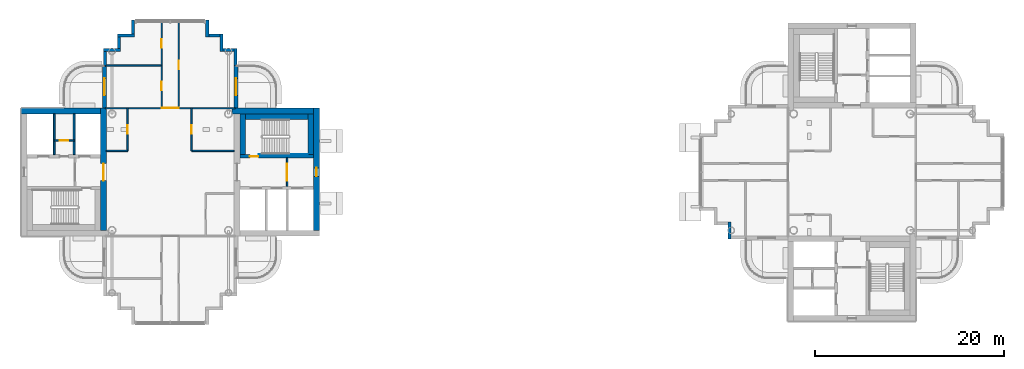
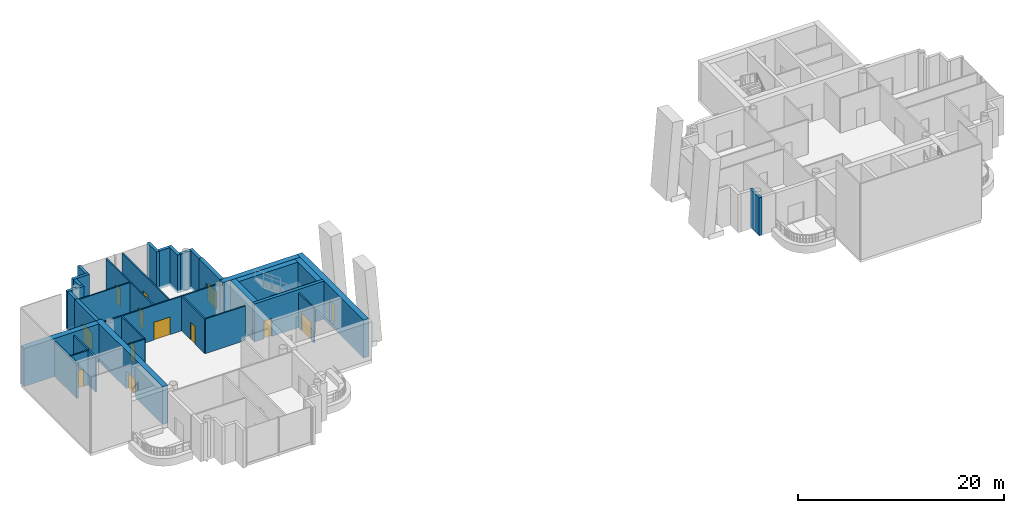
# One storey, part 8 of 19: 34 walls, 12 doors, 1 window, 13 openings.
"""IFC4 building model written with IfcOpenShell, lengths in metres."""

from ifc_helpers import new_model, si_unit, direction, frame, frame_2d, origin, place, context, subcontext, project, spatial, rectangle, extrude, material, layer, layer_set, type_object, element, fill, save


model = new_model("IFC4")

# Units and contexts
model_context = context("Model", 3, precision=1e-05, world=origin(), true_north=direction((0.0, 1.0)))
body_context = subcontext(model_context, "Body", "Model", "MODEL_VIEW")
ifc_project = project(units=[si_unit("LENGTHUNIT", "METRE"), si_unit("AREAUNIT", "SQUARE_METRE"), si_unit("VOLUMEUNIT", "CUBIC_METRE"), si_unit("PLANEANGLEUNIT", "RADIAN"), si_unit("MASSUNIT", "GRAM", prefix="KILO")], contexts=[model_context])

# Site, building, storey
site_placement = place(None, origin())
site = spatial("IfcSite", under=ifc_project, at=site_placement, CompositionType="ELEMENT")
building_placement = place(site_placement, origin())
building = spatial("IfcBuilding", under=site, at=building_placement, Name="Ipe Terrace Towers", CompositionType="ELEMENT")
storey_placement = place(building_placement, frame((0.0, 0.0, 237.89990234375)))
storey = spatial("IfcBuildingStorey", under=building, at=storey_placement, Name="L66", CompositionType="ELEMENT", Elevation=237.89990234375)

# Wall, opening, door
ifc_material_1 = material(Name="Concrete C40/50 with buff precast cladding", Category="concrete")
ifc_layer_1 = layer(ifc_material_1, 0.39990234375)
ifc_layer_set_1 = layer_set([ifc_layer_1], Name="BALCONY BAY WALL 400")
wall_type_1 = type_object("IfcWallType", Name="BALCONY BAY WALL 400", PredefinedType="STANDARD", material=ifc_layer_set_1)
wall_1_placement = place(storey_placement, frame((-29.050048828125, 6.75, -0.02001953125), z_axis=(0.0, 0.0, 1.0), x_axis=(0.0, 1.0, 0.0)))
wall_1 = element("IfcWall", 1, at=wall_1_placement, inside=storey, type_object=wall_type_1, Name="T1-W-L66-20a wall", PredefinedType="STANDARD", context=body_context, shape_type="SweptSolid", body=[
    extrude(rectangle(XDim=4.5, YDim=0.39990234375, at=frame_2d((2.25, 0.0))), origin(), (0.0, 0.0, 1.0), 4.22021484375),
])
opening_1_placement = place(wall_1_placement, frame((1.35009765625, 0.0, 0.02001953125)))
opening_1 = element("IfcOpeningElement", 2, at=opening_1_placement, cuts=wall_1, Name="Opening T1-D-L66-20", PredefinedType="OPENING", context=body_context, shape_type="SweptSolid", body=[
    extrude(rectangle(XDim=1.800048828125, YDim=2.10009765625, at=frame_2d((0.89990234375, 1.050048828125))), frame((0.0, 0.2099609375, 0.0), z_axis=(0.0, -1.0, 0.0), x_axis=(1.0, 0.0, 0.0)), (0.0, 0.0, 1.0), 0.419921875),
])
ifc_material_2 = material(Name="Aluminium alloy 6063-T6 framed glazed door", Category="aluminium")
door_type_1 = type_object("IfcDoorType", Name="BALCONY DOOR 1800 x 2100 LEFT", OperationType="SINGLE_SWING_LEFT", PredefinedType="DOOR", material=ifc_material_2)
door_1_placement = place(opening_1_placement, origin())
door_1 = element("IfcDoor", 3, at=door_1_placement, inside=storey, type_object=door_type_1, Name="DB1 door", OperationType="SINGLE_SWING_LEFT", OverallHeight=2.10009765625, OverallWidth=1.800048828125, PredefinedType="DOOR", context=body_context, shape_type="SweptSolid", body=[
    extrude(rectangle(XDim=1.800048828125, YDim=2.10009765625, at=frame_2d((0.89990234375, 1.050048828125))), frame((0.0, 0.02490234375, 0.0), z_axis=(0.0, -1.0, 0.0), x_axis=(1.0, 0.0, 0.0)), (0.0, 0.0, 1.0), 0.050048828125),
])
fill(opening_1, door_1)

wall_2_placement = place(storey_placement, frame((-42.949951171875, 11.25, -0.02001953125), z_axis=(0.0, 0.0, 1.0), x_axis=(0.0, -1.0, 0.0)))
wall_2 = element("IfcWall", 4, at=wall_2_placement, inside=storey, type_object=wall_type_1, Name="T1-W-L66-32a wall", PredefinedType="STANDARD", context=body_context, shape_type="SweptSolid", body=[
    extrude(rectangle(XDim=4.5, YDim=0.39990234375, at=frame_2d((2.25, 0.0))), origin(), (0.0, 0.0, 1.0), 4.22021484375),
])
opening_2_placement = place(wall_2_placement, frame((1.35009765625, 0.0, 0.02001953125)))
opening_2 = element("IfcOpeningElement", 5, at=opening_2_placement, cuts=wall_2, Name="Opening T1-D-L66-32", PredefinedType="OPENING", context=body_context, shape_type="SweptSolid", body=[
    extrude(rectangle(XDim=1.800048828125, YDim=2.10009765625, at=frame_2d((0.89990234375, 1.050048828125))), frame((0.0, 0.2099609375, 0.0), z_axis=(0.0, -1.0, 0.0), x_axis=(1.0, 0.0, 0.0)), (0.0, 0.0, 1.0), 0.419921875),
])
door_2_placement = place(opening_2_placement, origin())
door_2 = element("IfcDoor", 6, at=door_2_placement, inside=storey, type_object=door_type_1, Name="DB1 door", OperationType="SINGLE_SWING_LEFT", OverallHeight=2.10009765625, OverallWidth=1.800048828125, PredefinedType="DOOR", context=body_context, shape_type="SweptSolid", body=[
    extrude(rectangle(XDim=1.800048828125, YDim=2.10009765625, at=frame_2d((0.89990234375, 1.050048828125))), frame((0.0, 0.02490234375, 0.0), z_axis=(0.0, -1.0, 0.0), x_axis=(1.0, 0.0, 0.0)), (0.0, 0.0, 1.0), 0.050048828125),
])
fill(opening_2, door_2)

# Walls
ifc_material_3 = material(Name="Concrete C40/50 with buff precast cladding", Category="concrete")
ifc_layer_2 = layer(ifc_material_3, 0.320068359375)
ifc_layer_set_2 = layer_set([ifc_layer_2], Name="BUFF CLADDING WALL 320")
wall_type_2 = type_object("IfcWallType", Name="BUFF CLADDING WALL 320", PredefinedType="STANDARD", material=ifc_layer_set_2)
wall_3_placement = place(storey_placement, frame((-29.090087890625, 11.25, -0.2998046875), z_axis=(0.0, 0.0, 1.0), x_axis=(0.0, 1.0, 0.0)))
element("IfcWall", 7, at=wall_3_placement, inside=storey, type_object=wall_type_2, Name="T1-W-L66-21a wall", PredefinedType="STANDARD", context=body_context, shape_type="SweptSolid", body=[
    extrude(rectangle(XDim=1.820068359375, YDim=0.320068359375, at=frame_2d((0.91015625, 0.0))), origin(), (0.0, 0.0, 1.0), 4.5),
])
wall_4_placement = place(storey_placement, frame((-29.25, 12.909912109375, -0.2998046875), z_axis=(0.0, 0.0, 1.0), x_axis=(-1.0, 0.0, 0.0)))
element("IfcWall", 8, at=wall_4_placement, inside=storey, type_object=wall_type_2, Name="T1-W-L66-22a wall", PredefinedType="STANDARD", context=body_context, shape_type="SweptSolid", body=[
    extrude(rectangle(XDim=1.179931640625, YDim=0.320068359375, at=frame_2d((0.58984375, 0.0))), origin(), (0.0, 0.0, 1.0), 4.5),
])
wall_5_placement = place(storey_placement, frame((-30.590087890625, 12.75, -0.2998046875), z_axis=(0.0, 0.0, 1.0), x_axis=(0.0, 1.0, 0.0)))
element("IfcWall", 9, at=wall_5_placement, inside=storey, type_object=wall_type_2, Name="T1-W-L66-23a wall", PredefinedType="STANDARD", context=body_context, shape_type="SweptSolid", body=[
    extrude(rectangle(XDim=1.820068359375, YDim=0.320068359375, at=frame_2d((0.91015625, 0.0))), origin(), (0.0, 0.0, 1.0), 4.5),
])
wall_6_placement = place(storey_placement, frame((-30.75, 14.409912109375, -0.2998046875), z_axis=(0.0, 0.0, 1.0), x_axis=(-1.0, 0.0, 0.0)))
element("IfcWall", 10, at=wall_6_placement, inside=storey, type_object=wall_type_2, Name="T1-W-L66-24a wall", PredefinedType="STANDARD", context=body_context, shape_type="SweptSolid", body=[
    extrude(rectangle(XDim=1.179931640625, YDim=0.320068359375, at=frame_2d((0.58984375, 0.0))), origin(), (0.0, 0.0, 1.0), 4.5),
])
wall_7_placement = place(storey_placement, frame((-32.090087890625, 14.25, -0.2998046875), z_axis=(0.0, 0.0, 1.0), x_axis=(0.0, 1.0, 0.0)))
element("IfcWall", 11, at=wall_7_placement, inside=storey, type_object=wall_type_2, Name="T1-W-L66-25a wall", PredefinedType="STANDARD", context=body_context, shape_type="SweptSolid", body=[
    extrude(rectangle(XDim=1.820068359375, YDim=0.320068359375, at=frame_2d((0.91015625, 0.0))), origin(), (0.0, 0.0, 1.0), 4.5),
])
wall_8_placement = place(storey_placement, frame((-39.909912109375, 16.070068359375, -0.2998046875), z_axis=(0.0, 0.0, 1.0), x_axis=(0.0, -1.0, 0.0)))
element("IfcWall", 12, at=wall_8_placement, inside=storey, type_object=wall_type_2, Name="T1-W-L66-27a wall", PredefinedType="STANDARD", context=body_context, shape_type="SweptSolid", body=[
    extrude(rectangle(XDim=1.5, YDim=0.320068359375, at=frame_2d((0.75, 0.0))), origin(), (0.0, 0.0, 1.0), 4.5),
])
wall_9_placement = place(storey_placement, frame((-39.75, 14.409912109375, -0.2998046875), z_axis=(0.0, 0.0, 1.0), x_axis=(-1.0, 0.0, 0.0)))
element("IfcWall", 13, at=wall_9_placement, inside=storey, type_object=wall_type_2, Name="T1-W-L66-28a wall", PredefinedType="STANDARD", context=body_context, shape_type="SweptSolid", body=[
    extrude(rectangle(XDim=1.820068359375, YDim=0.320068359375, at=frame_2d((0.91015625, 0.0))), origin(), (0.0, 0.0, 1.0), 4.5),
])
wall_10_placement = place(storey_placement, frame((-41.409912109375, 14.25, -0.2998046875), z_axis=(0.0, 0.0, 1.0), x_axis=(0.0, -1.0, 0.0)))
element("IfcWall", 14, at=wall_10_placement, inside=storey, type_object=wall_type_2, Name="T1-W-L66-29a wall", PredefinedType="STANDARD", context=body_context, shape_type="SweptSolid", body=[
    extrude(rectangle(XDim=1.179931640625, YDim=0.320068359375, at=frame_2d((0.58984375, 0.0))), origin(), (0.0, 0.0, 1.0), 4.5),
])
wall_11_placement = place(storey_placement, frame((-41.25, 12.909912109375, -0.2998046875), z_axis=(0.0, 0.0, 1.0), x_axis=(-1.0, 0.0, 0.0)))
element("IfcWall", 15, at=wall_11_placement, inside=storey, type_object=wall_type_2, Name="T1-W-L66-30a wall", PredefinedType="STANDARD", context=body_context, shape_type="SweptSolid", body=[
    extrude(rectangle(XDim=1.820068359375, YDim=0.320068359375, at=frame_2d((0.91015625, 0.0))), origin(), (0.0, 0.0, 1.0), 4.5),
])
wall_12_placement = place(storey_placement, frame((-42.909912109375, 12.75, -0.2998046875), z_axis=(0.0, 0.0, 1.0), x_axis=(0.0, -1.0, 0.0)))
element("IfcWall", 16, at=wall_12_placement, inside=storey, type_object=wall_type_2, Name="T1-W-L66-31a wall", PredefinedType="STANDARD", context=body_context, shape_type="SweptSolid", body=[
    extrude(rectangle(XDim=1.5, YDim=0.320068359375, at=frame_2d((0.75, 0.0))), origin(), (0.0, 0.0, 1.0), 4.5),
])
wall_13_placement = place(storey_placement, frame((23.090087890625, -5.25, -0.2998046875), z_axis=(0.0, 0.0, 1.0), x_axis=(0.0, -1.0, 0.0)))
element("IfcWall", 17, at=wall_13_placement, inside=storey, type_object=wall_type_2, Name="T2-W-L66-30a wall", PredefinedType="STANDARD", context=body_context, shape_type="SweptSolid", body=[
    extrude(rectangle(XDim=1.820068359375, YDim=0.320068359375, at=frame_2d((0.91015625, 0.0))), origin(), (0.0, 0.0, 1.0), 4.5),
])

# Wall, opening, door
ifc_material_4 = material(Name="Gypsum board partition", Category="plasterboard")
ifc_layer_3 = layer(ifc_material_4, 0.14990234375)
ifc_layer_set_3 = layer_set([ifc_layer_3], Name="Gypsum board partition 150 mm")
wall_type_3 = type_object("IfcWallType", Name="Gypsum board partition 150 mm", PredefinedType="PARTITIONING", material=ifc_layer_set_3)
wall_14_placement = place(storey_placement, frame((-23.64990234375, -1.5, 0.0), z_axis=(0.0, 0.0, 1.0), x_axis=(0.0, 1.0, 0.0)))
wall_14 = element("IfcWall", 18, at=wall_14_placement, inside=storey, type_object=wall_type_3, Name="Gypsum board partition T1 L66 t1c1-lobby-wall", PredefinedType="PARTITIONING", context=body_context, shape_type="SweptSolid", body=[
    extrude(rectangle(XDim=3.0, YDim=0.14990234375, at=frame_2d((1.5, 0.0))), origin(), (0.0, 0.0, 1.0), 4.10009765625),
])
opening_3_placement = place(wall_14_placement, frame((0.60009765625, 0.0, 0.0)))
opening_3 = element("IfcOpeningElement", 19, at=opening_3_placement, cuts=wall_14, Name="Opening T1C1-VD", PredefinedType="OPENING", context=body_context, shape_type="SweptSolid", body=[
    extrude(rectangle(XDim=1.800048828125, YDim=2.10009765625, at=frame_2d((0.89990234375, 1.050048828125))), frame((0.0, 0.0849609375, 0.0), z_axis=(0.0, -1.0, 0.0), x_axis=(1.0, 0.0, 0.0)), (0.0, 0.0, 1.0), 0.169921875),
])
ifc_material_5 = material(Name="Fire-rated timber door leaf", Category="wood")
door_type_2 = type_object("IfcDoorType", Name="Lobby door 1800 x 2100 FD60", OperationType="NOTDEFINED", PredefinedType="DOOR", material=ifc_material_5)
door_3_placement = place(opening_3_placement, origin())
door_3 = element("IfcDoor", 20, at=door_3_placement, inside=storey, type_object=door_type_2, Name="Lobby door T1C1-VD", OperationType="SINGLE_SWING_LEFT", OverallHeight=2.10009765625, OverallWidth=1.800048828125, PredefinedType="DOOR", context=body_context, shape_type="SweptSolid", body=[
    extrude(rectangle(XDim=1.800048828125, YDim=2.10009765625, at=frame_2d((0.89990234375, 1.050048828125))), frame((0.0, 0.02490234375, 0.0), z_axis=(0.0, -1.0, 0.0), x_axis=(1.0, 0.0, 0.0)), (0.0, 0.0, 1.0), 0.050048828125),
])
fill(opening_3, door_3)

wall_15_placement = place(storey_placement, frame((-46.14990234375, 3.35009765625, 0.0), z_axis=(0.0, 0.0, 1.0), x_axis=(-1.0, 0.0, 0.0)))
wall_15 = element("IfcWall", 21, at=wall_15_placement, inside=storey, type_object=wall_type_3, Name="Gypsum board partition T1 L66 t1c2-q-back", PredefinedType="PARTITIONING", context=body_context, shape_type="SweptSolid", body=[
    extrude(rectangle(XDim=2.10009765625, YDim=0.14990234375, at=frame_2d((1.050048828125, 0.0))), origin(), (0.0, 0.0, 1.0), 4.10009765625),
])
opening_4_placement = place(wall_15_placement, frame((0.60009765625, 0.0, 0.0)))
opening_4 = element("IfcOpeningElement", 22, at=opening_4_placement, cuts=wall_15, Name="Opening T1C2-RB", PredefinedType="OPENING", context=body_context, shape_type="SweptSolid", body=[
    extrude(rectangle(XDim=0.89990234375, YDim=2.10009765625, at=frame_2d((0.449951171875, 1.050048828125))), frame((0.0, 0.0849609375, 0.0), z_axis=(0.0, -1.0, 0.0), x_axis=(1.0, 0.0, 0.0)), (0.0, 0.0, 1.0), 0.169921875),
])
ifc_material_6 = material(Name="Fire-rated timber door leaf", Category="wood")
door_type_3 = type_object("IfcDoorType", Name="Service door 900 x 2100 FD60", OperationType="NOTDEFINED", PredefinedType="DOOR", material=ifc_material_6)
door_4_placement = place(opening_4_placement, origin())
door_4 = element("IfcDoor", 23, at=door_4_placement, inside=storey, type_object=door_type_3, Name="Service door T1C2-RB", OperationType="SINGLE_SWING_LEFT", OverallHeight=2.10009765625, OverallWidth=0.89990234375, PredefinedType="DOOR", context=body_context, shape_type="SweptSolid", body=[
    extrude(rectangle(XDim=0.89990234375, YDim=2.10009765625, at=frame_2d((0.449951171875, 1.050048828125))), frame((0.0, 0.02490234375, 0.0), z_axis=(0.0, -1.0, 0.0), x_axis=(1.0, 0.0, 0.0)), (0.0, 0.0, 1.0), 0.050048828125),
])
fill(opening_4, door_4)

wall_16_placement = place(storey_placement, frame((-33.75, 2.25, 0.0), z_axis=(0.0, 0.0, 1.0), x_axis=(0.0, 1.0, 0.0)))
wall_16 = element("IfcWall", 24, at=wall_16_placement, inside=storey, type_object=wall_type_3, Name="Gypsum board partition T1 L66 sp-cne-x", PredefinedType="PARTITIONING", context=body_context, shape_type="SweptSolid", body=[
    extrude(rectangle(XDim=4.5, YDim=0.14990234375, at=frame_2d((2.25, 0.0))), origin(), (0.0, 0.0, 1.0), 4.10009765625),
])
opening_5_placement = place(wall_16_placement, frame((1.800048828125, 0.0, 0.0)))
opening_5 = element("IfcOpeningElement", 25, at=opening_5_placement, cuts=wall_16, Name="Opening T1-SP-CNE", PredefinedType="OPENING", context=body_context, shape_type="SweptSolid", body=[
    extrude(rectangle(XDim=0.89990234375, YDim=2.10009765625, at=frame_2d((0.449951171875, 1.050048828125))), frame((0.0, 0.0849609375, 0.0), z_axis=(0.0, -1.0, 0.0), x_axis=(1.0, 0.0, 0.0)), (0.0, 0.0, 1.0), 0.169921875),
])
ifc_material_7 = material(Name="Timber door leaf", Category="wood")
door_type_4 = type_object("IfcDoorType", Name="Bathroom door 900 x 2100", OperationType="NOTDEFINED", PredefinedType="DOOR", material=ifc_material_7)
door_5_placement = place(opening_5_placement, origin())
door_5 = element("IfcDoor", 26, at=door_5_placement, inside=storey, type_object=door_type_4, Name="Bathroom door T1-SP-CNE", OperationType="SINGLE_SWING_RIGHT", OverallHeight=2.10009765625, OverallWidth=0.89990234375, PredefinedType="DOOR", context=body_context, shape_type="SweptSolid", body=[
    extrude(rectangle(XDim=0.89990234375, YDim=2.10009765625, at=frame_2d((0.449951171875, 1.050048828125))), frame((0.0, 0.02490234375, 0.0), z_axis=(0.0, -1.0, 0.0), x_axis=(1.0, 0.0, 0.0)), (0.0, 0.0, 1.0), 0.050048828125),
])
fill(opening_5, door_5)

# Wall
wall_17_placement = place(storey_placement, frame((-33.75, 2.25, 0.0), z_axis=(0.0, 0.0, 1.0), x_axis=(1.0, 0.0, 0.0)))
element("IfcWall", 27, at=wall_17_placement, inside=storey, type_object=wall_type_3, Name="Gypsum board partition T1 L66 sp-cne-y", PredefinedType="PARTITIONING", context=body_context, shape_type="SweptSolid", body=[
    extrude(rectangle(XDim=4.5, YDim=0.14990234375, at=frame_2d((2.25, 0.0))), origin(), (0.0, 0.0, 1.0), 4.10009765625),
])

# Wall, opening, door
wall_18_placement = place(storey_placement, frame((-40.5, 2.25, 0.0), z_axis=(0.0, 0.0, 1.0), x_axis=(0.0, 1.0, 0.0)))
wall_18 = element("IfcWall", 28, at=wall_18_placement, inside=storey, type_object=wall_type_3, Name="Gypsum board partition T1 L66 sp-cnw-x", PredefinedType="PARTITIONING", context=body_context, shape_type="SweptSolid", body=[
    extrude(rectangle(XDim=4.5, YDim=0.14990234375, at=frame_2d((2.25, 0.0))), origin(), (0.0, 0.0, 1.0), 4.10009765625),
])
opening_6_placement = place(wall_18_placement, frame((1.800048828125, 0.0, 0.0)))
opening_6 = element("IfcOpeningElement", 29, at=opening_6_placement, cuts=wall_18, Name="Opening T1-SP-CNW", PredefinedType="OPENING", context=body_context, shape_type="SweptSolid", body=[
    extrude(rectangle(XDim=0.89990234375, YDim=2.10009765625, at=frame_2d((0.449951171875, 1.050048828125))), frame((0.0, 0.0849609375, 0.0), z_axis=(0.0, -1.0, 0.0), x_axis=(1.0, 0.0, 0.0)), (0.0, 0.0, 1.0), 0.169921875),
])
door_6_placement = place(opening_6_placement, origin())
door_6 = element("IfcDoor", 30, at=door_6_placement, inside=storey, type_object=door_type_4, Name="Bathroom door T1-SP-CNW", OperationType="SINGLE_SWING_LEFT", OverallHeight=2.10009765625, OverallWidth=0.89990234375, PredefinedType="DOOR", context=body_context, shape_type="SweptSolid", body=[
    extrude(rectangle(XDim=0.89990234375, YDim=2.10009765625, at=frame_2d((0.449951171875, 1.050048828125))), frame((0.0, 0.02490234375, 0.0), z_axis=(0.0, -1.0, 0.0), x_axis=(1.0, 0.0, 0.0)), (0.0, 0.0, 1.0), 0.050048828125),
])
fill(opening_6, door_6)

# Wall
wall_19_placement = place(storey_placement, frame((-42.75, 2.25, 0.0), z_axis=(0.0, 0.0, 1.0), x_axis=(1.0, 0.0, 0.0)))
element("IfcWall", 31, at=wall_19_placement, inside=storey, type_object=wall_type_3, Name="Gypsum board partition T1 L66 sp-cnw-y", PredefinedType="PARTITIONING", context=body_context, shape_type="SweptSolid", body=[
    extrude(rectangle(XDim=2.25, YDim=0.14990234375, at=frame_2d((1.125, 0.0))), origin(), (0.0, 0.0, 1.0), 4.10009765625),
])

# Wall, opening, door
wall_20_placement = place(storey_placement, frame((-42.85009765625, 6.75, 0.0), z_axis=(0.0, 0.0, 1.0), x_axis=(1.0, 0.0, 0.0)))
wall_20 = element("IfcWall", 32, at=wall_20_placement, inside=storey, type_object=wall_type_3, Name="Gypsum board partition T1 L66 sp-Sp-mouth", PredefinedType="PARTITIONING", context=body_context, shape_type="SweptSolid", body=[
    extrude(rectangle(XDim=13.7001953125, YDim=0.14990234375, at=frame_2d((6.85009765625, 0.0))), origin(), (0.0, 0.0, 1.0), 4.10009765625),
])
opening_7_placement = place(wall_20_placement, frame((5.949951171875, 0.0, 0.0)))
opening_7 = element("IfcOpeningElement", 33, at=opening_7_placement, cuts=wall_20, Name="Opening T1-SP-MSp", PredefinedType="OPENING", context=body_context, shape_type="SweptSolid", body=[
    extrude(rectangle(XDim=1.800048828125, YDim=2.10009765625, at=frame_2d((0.89990234375, 1.050048828125))), frame((0.0, 0.0849609375, 0.0), z_axis=(0.0, -1.0, 0.0), x_axis=(1.0, 0.0, 0.0)), (0.0, 0.0, 1.0), 0.169921875),
])
ifc_material_8 = material(Name="Fire-rated timber door leaf", Category="wood")
door_type_5 = type_object("IfcDoorType", Name="Lobby door 1800 x 2100 FD30S", OperationType="NOTDEFINED", PredefinedType="DOOR", material=ifc_material_8)
door_7_placement = place(opening_7_placement, origin())
door_7 = element("IfcDoor", 34, at=door_7_placement, inside=storey, type_object=door_type_5, Name="Lobby door T1-SP-MSp", OperationType="SINGLE_SWING_LEFT", OverallHeight=2.10009765625, OverallWidth=1.800048828125, PredefinedType="DOOR", context=body_context, shape_type="SweptSolid", body=[
    extrude(rectangle(XDim=1.800048828125, YDim=2.10009765625, at=frame_2d((0.89990234375, 1.050048828125))), frame((0.0, 0.02490234375, 0.0), z_axis=(0.0, -1.0, 0.0), x_axis=(1.0, 0.0, 0.0)), (0.0, 0.0, 1.0), 0.050048828125),
])
fill(opening_7, door_7)

wall_21_placement = place(storey_placement, frame((-35.10009765625, 6.824951171875, 0.0), z_axis=(0.0, 0.0, 1.0), x_axis=(0.0, 1.0, 0.0)))
wall_21 = element("IfcWall", 35, at=wall_21_placement, inside=storey, type_object=wall_type_3, Name="Gypsum board partition T1 L66 sp-Sp-wp", PredefinedType="PARTITIONING", context=body_context, shape_type="SweptSolid", body=[
    extrude(rectangle(XDim=9.025146484375, YDim=0.14990234375, at=frame_2d((4.5126953125, 0.0))), origin(), (0.0, 0.0, 1.0), 4.10009765625),
])
opening_8_placement = place(wall_21_placement, frame((4.050048828125, 0.0, 0.0)))
opening_8 = element("IfcOpeningElement", 36, at=opening_8_placement, cuts=wall_21, Name="Opening T1-SP-PSp1", PredefinedType="OPENING", context=body_context, shape_type="SweptSolid", body=[
    extrude(rectangle(XDim=0.89990234375, YDim=2.10009765625, at=frame_2d((0.449951171875, 1.050048828125))), frame((0.0, 0.0849609375, 0.0), z_axis=(0.0, -1.0, 0.0), x_axis=(1.0, 0.0, 0.0)), (0.0, 0.0, 1.0), 0.169921875),
])
ifc_material_9 = material(Name="Fire-rated timber door leaf", Category="wood")
door_type_6 = type_object("IfcDoorType", Name="Lounge door 900 x 2100 FD30S", OperationType="NOTDEFINED", PredefinedType="DOOR", material=ifc_material_9)
door_8_placement = place(opening_8_placement, origin())
door_8 = element("IfcDoor", 37, at=door_8_placement, inside=storey, type_object=door_type_6, Name="Lounge door T1-SP-PSp1", OperationType="SINGLE_SWING_LEFT", OverallHeight=2.10009765625, OverallWidth=0.89990234375, PredefinedType="DOOR", context=body_context, shape_type="SweptSolid", body=[
    extrude(rectangle(XDim=0.89990234375, YDim=2.10009765625, at=frame_2d((0.449951171875, 1.050048828125))), frame((0.0, 0.02490234375, 0.0), z_axis=(0.0, -1.0, 0.0), x_axis=(1.0, 0.0, 0.0)), (0.0, 0.0, 1.0), 0.050048828125),
])
fill(opening_8, door_8)

# Wall, openings, doors
wall_22_placement = place(storey_placement, frame((-36.89990234375, 6.824951171875, 0.0), z_axis=(0.0, 0.0, 1.0), x_axis=(0.0, 1.0, 0.0)))
wall_22 = element("IfcWall", 38, at=wall_22_placement, inside=storey, type_object=wall_type_3, Name="Gypsum board partition T1 L66 sp-Sp-wm", PredefinedType="PARTITIONING", context=body_context, shape_type="SweptSolid", body=[
    extrude(rectangle(XDim=9.025146484375, YDim=0.14990234375, at=frame_2d((4.5126953125, 0.0))), origin(), (0.0, 0.0, 1.0), 4.10009765625),
])
opening_9_placement = place(wall_22_placement, frame((1.800048828125, 0.0, 0.0)))
opening_9 = element("IfcOpeningElement", 39, at=opening_9_placement, cuts=wall_22, Name="Opening T1-SP-MSp1", PredefinedType="OPENING", context=body_context, shape_type="SweptSolid", body=[
    extrude(rectangle(XDim=0.89990234375, YDim=2.10009765625, at=frame_2d((0.449951171875, 1.050048828125))), frame((0.0, 0.0849609375, 0.0), z_axis=(0.0, -1.0, 0.0), x_axis=(1.0, 0.0, 0.0)), (0.0, 0.0, 1.0), 0.169921875),
])
opening_10_placement = place(wall_22_placement, frame((6.300048828125, 0.0, 0.0)))
opening_10 = element("IfcOpeningElement", 40, at=opening_10_placement, cuts=wall_22, Name="Opening T1-SP-MSp2-FD30S", PredefinedType="OPENING", context=body_context, shape_type="SweptSolid", body=[
    extrude(rectangle(XDim=0.89990234375, YDim=2.10009765625, at=frame_2d((0.449951171875, 1.050048828125))), frame((0.0, 0.0849609375, 0.0), z_axis=(0.0, -1.0, 0.0), x_axis=(1.0, 0.0, 0.0)), (0.0, 0.0, 1.0), 0.169921875),
])
door_9_placement = place(opening_9_placement, origin())
door_9 = element("IfcDoor", 41, at=door_9_placement, inside=storey, type_object=door_type_6, Name="Lounge door T1-SP-MSp1", OperationType="SINGLE_SWING_RIGHT", OverallHeight=2.10009765625, OverallWidth=0.89990234375, PredefinedType="DOOR", context=body_context, shape_type="SweptSolid", body=[
    extrude(rectangle(XDim=0.89990234375, YDim=2.10009765625, at=frame_2d((0.449951171875, 1.050048828125))), frame((0.0, 0.02490234375, 0.0), z_axis=(0.0, -1.0, 0.0), x_axis=(1.0, 0.0, 0.0)), (0.0, 0.0, 1.0), 0.050048828125),
])
fill(opening_9, door_9)
door_10_placement = place(opening_10_placement, origin())
door_10 = element("IfcDoor", 42, at=door_10_placement, inside=storey, type_object=door_type_6, Name="Lounge door T1-SP-MSp2-FD30S", OperationType="SINGLE_SWING_LEFT", OverallHeight=2.10009765625, OverallWidth=0.89990234375, PredefinedType="DOOR", context=body_context, shape_type="SweptSolid", body=[
    extrude(rectangle(XDim=0.89990234375, YDim=2.10009765625, at=frame_2d((0.449951171875, 1.050048828125))), frame((0.0, 0.02490234375, 0.0), z_axis=(0.0, -1.0, 0.0), x_axis=(1.0, 0.0, 0.0)), (0.0, 0.0, 1.0), 0.050048828125),
])
fill(opening_10, door_10)

# Walls
wall_23_placement = place(storey_placement, frame((-36.97509765625, 11.25, 0.0), z_axis=(0.0, 0.0, 1.0), x_axis=(-1.0, 0.0, 0.0)))
element("IfcWall", 43, at=wall_23_placement, inside=storey, type_object=wall_type_3, Name="Gypsum board partition T1 L66 sp-Sp-dm1", PredefinedType="PARTITIONING", context=body_context, shape_type="SweptSolid", body=[
    extrude(rectangle(XDim=5.875, YDim=0.14990234375, at=frame_2d((2.9375, 0.0))), origin(), (0.0, 0.0, 1.0), 4.10009765625),
])
ifc_material_10 = material(Name="Gypsum board party wall", Category="plasterboard")
ifc_layer_4 = layer(ifc_material_10, 0.199951171875)
ifc_layer_set_4 = layer_set([ifc_layer_4], Name="Gypsum board party wall 200 mm")
wall_type_4 = type_object("IfcWallType", Name="Gypsum board party wall 200 mm", PredefinedType="SOLIDWALL", material=ifc_layer_set_4)
for number, where, z_axis, x_axis, name in (
    (44, (-48.25, 6.14990234375, 0.0), (0.0, 0.0, 1.0), (0.0, -1.0, 0.0), "Gypsum board party wall T1 L66 t1c2-shaft-div2"),
    (45, (-46.14990234375, 6.14990234375, 0.0), (0.0, 0.0, 1.0), (0.0, -1.0, 0.0), "Gypsum board party wall T1 L66 t1c2-shaft-div1"),
):
    element("IfcWall", number, at=place(storey_placement, frame(where, z_axis=z_axis, x_axis=x_axis)), inside=storey, type_object=wall_type_4, Name=name, PredefinedType="SOLIDWALL", context=body_context, shape_type="SweptSolid", body=[
        extrude(rectangle(XDim=4.2998046875, YDim=0.199951171875, at=frame_2d((2.14990234375, 0.0))), origin(), (0.0, 0.0, 1.0), 4.10009765625),
    ])

# Wall, opening, door
ifc_material_11 = material(Name="Concrete C40/50", Category="concrete")
ifc_layer_5 = layer(ifc_material_11, 0.35009765625)
ifc_layer_set_5 = layer_set([ifc_layer_5], Name="RW350 CORE SPINE WALL 350 C40-50")
wall_type_5 = type_object("IfcWallType", Name="RW350 CORE SPINE WALL 350 C40-50", PredefinedType="SHEAR", material=ifc_layer_set_5)
wall_24_placement = place(storey_placement, frame((-28.64990234375, 1.675048828125, 0.0), z_axis=(0.0, 0.0, 1.0), x_axis=(1.0, 0.0, 0.0)))
wall_24 = element("IfcWall", 46, at=wall_24_placement, inside=storey, type_object=wall_type_5, Name="Core spine wall T1-C1-Z4-SW2", PredefinedType="SHEAR", context=body_context, shape_type="SweptSolid", body=[
    extrude(rectangle(XDim=7.7998046875, YDim=0.35009765625, at=frame_2d((3.89990234375, 0.0))), origin(), (0.0, 0.0, 1.0), 4.5),
])
opening_11_placement = place(wall_24_placement, frame((1.050048828125, 0.0, 0.0)))
opening_11 = element("IfcOpeningElement", 47, at=opening_11_placement, cuts=wall_24, Name="Opening T1C1-SD", PredefinedType="OPENING", context=body_context, shape_type="SweptSolid", body=[
    extrude(rectangle(XDim=0.89990234375, YDim=2.10009765625, at=frame_2d((0.449951171875, 1.050048828125))), frame((0.0, 0.18505859375, 0.0), z_axis=(0.0, -1.0, 0.0), x_axis=(1.0, 0.0, 0.0)), (0.0, 0.0, 1.0), 0.3701171875),
])
ifc_material_12 = material(Name="Fire-rated timber door leaf", Category="wood")
door_type_7 = type_object("IfcDoorType", Name="Stair door 900 x 2100 FD60", OperationType="NOTDEFINED", PredefinedType="DOOR", material=ifc_material_12)
door_11_placement = place(opening_11_placement, origin())
door_11 = element("IfcDoor", 48, at=door_11_placement, inside=storey, type_object=door_type_7, Name="Stair door T1C1-SD", OperationType="SINGLE_SWING_LEFT", OverallHeight=2.10009765625, OverallWidth=0.89990234375, PredefinedType="DOOR", context=body_context, shape_type="SweptSolid", body=[
    extrude(rectangle(XDim=0.89990234375, YDim=2.10009765625, at=frame_2d((0.449951171875, 1.050048828125))), frame((0.0, 0.02490234375, 0.0), z_axis=(0.0, -1.0, 0.0), x_axis=(1.0, 0.0, 0.0)), (0.0, 0.0, 1.0), 0.050048828125),
])
fill(opening_11, door_11)

# Walls
ifc_material_13 = material(Name="Concrete C40/50", Category="concrete")
ifc_layer_6 = layer(ifc_material_13, 0.050048828125)
ifc_layer_set_6 = layer_set([ifc_layer_6], Name="RW50 CORE INFILL WALL 50 C40-50")
wall_type_6 = type_object("IfcWallType", Name="RW50 CORE INFILL WALL 50 C40-50", PredefinedType="SHEAR", material=ifc_layer_set_6)
wall_25_placement = place(storey_placement, frame((-26.64990234375, 1.875, 0.0), z_axis=(0.0, 0.0, 1.0), x_axis=(1.0, 0.0, 0.0)))
element("IfcWall", 49, at=wall_25_placement, inside=storey, type_object=wall_type_6, Name="Core infill wall T1-C1-spine-b", PredefinedType="SHEAR", context=body_context, shape_type="SweptSolid", body=[
    extrude(rectangle(XDim=5.199951171875, YDim=0.050048828125, at=frame_2d((2.60009765625, 0.0))), origin(), (0.0, 0.0, 1.0), 4.5),
])
ifc_material_14 = material(Name="Concrete C40/50", Category="concrete")
ifc_layer_7 = layer(ifc_material_14, 0.60009765625)
ifc_layer_set_7 = layer_set([ifc_layer_7], Name="RW600 CORE INFILL WALL 600 C40-50")
wall_type_7 = type_object("IfcWallType", Name="RW600 CORE INFILL WALL 600 C40-50", PredefinedType="SHEAR", material=ifc_layer_set_7)
wall_26_placement = place(storey_placement, frame((-21.14990234375, 1.85009765625, 0.0), z_axis=(0.0, 0.0, 1.0), x_axis=(0.0, 1.0, 0.0)))
element("IfcWall", 50, at=wall_26_placement, inside=storey, type_object=wall_type_7, Name="Core infill wall T1-C1-far", PredefinedType="SHEAR", context=body_context, shape_type="SweptSolid", body=[
    extrude(rectangle(XDim=4.2998046875, YDim=0.60009765625, at=frame_2d((2.14990234375, 0.0))), origin(), (0.0, 0.0, 1.0), 4.5),
])
wall_27_placement = place(storey_placement, frame((-28.050048828125, 5.85009765625, 0.0), z_axis=(0.0, 0.0, 1.0), x_axis=(1.0, 0.0, 0.0)))
element("IfcWall", 51, at=wall_27_placement, inside=storey, type_object=wall_type_7, Name="Core infill wall T1-C1-back", PredefinedType="SHEAR", context=body_context, shape_type="SweptSolid", body=[
    extrude(rectangle(XDim=6.60009765625, YDim=0.60009765625, at=frame_2d((3.300048828125, 0.0))), origin(), (0.0, 0.0, 1.0), 4.5),
])
wall_28_placement = place(storey_placement, frame((-28.35009765625, 1.85009765625, 0.0), z_axis=(0.0, 0.0, 1.0), x_axis=(0.0, 1.0, 0.0)))
element("IfcWall", 52, at=wall_28_placement, inside=storey, type_object=wall_type_7, Name="Core infill wall T1-C1-near", PredefinedType="SHEAR", context=body_context, shape_type="SweptSolid", body=[
    extrude(rectangle(XDim=4.2998046875, YDim=0.60009765625, at=frame_2d((2.14990234375, 0.0))), origin(), (0.0, 0.0, 1.0), 4.5),
])

# Wall, opening, window
ifc_material_15 = material(Name="Concrete C40/50", Category="concrete")
ifc_layer_8 = layer(ifc_material_15, 0.60009765625)
ifc_layer_set_8 = layer_set([ifc_layer_8], Name="RW600 CORE WALL 600 C40-50")
wall_type_8 = type_object("IfcWallType", Name="RW600 CORE WALL 600 C40-50", PredefinedType="SHEAR", material=ifc_layer_set_8)
wall_29_placement = place(storey_placement, frame((-20.550048828125, -6.14990234375, 0.0), z_axis=(0.0, 0.0, 1.0), x_axis=(0.0, 1.0, 0.0)))
wall_29 = element("IfcWall", 53, at=wall_29_placement, inside=storey, type_object=wall_type_8, Name="Core wall T1-C1-Z4-W02", PredefinedType="SHEAR", context=body_context, shape_type="SweptSolid", body=[
    extrude(rectangle(XDim=12.89990234375, YDim=0.60009765625, at=frame_2d((6.449951171875, 0.0))), origin(), (0.0, 0.0, 1.0), 4.5),
])
opening_12_placement = place(wall_29_placement, frame((5.699951171875, 0.0, 0.449951171875)))
opening_12 = element("IfcOpeningElement", 54, at=opening_12_placement, cuts=wall_29, Name="Opening T1-C1-W-01-L66", PredefinedType="OPENING", context=body_context, shape_type="SweptSolid", body=[
    extrude(rectangle(XDim=0.89990234375, YDim=2.39990234375, at=frame_2d((0.449951171875, 1.199951171875))), frame((0.0, 0.31005859375, 0.0), z_axis=(0.0, -1.0, 0.0), x_axis=(1.0, 0.0, 0.0)), (0.0, 0.0, 1.0), 0.6201171875),
])
ifc_material_16 = material(Name="Fire-resistant glazing EI 60", Category="glass")
window_type = type_object("IfcWindowType", Name="CORRIDOR END SLOT WINDOW 900 x 2400 EI 60", PartitioningType="SINGLE_PANEL", PredefinedType="WINDOW", material=ifc_material_16)
window_placement = place(opening_12_placement, origin())
window = element("IfcWindow", 55, at=window_placement, inside=storey, type_object=window_type, Name="W-01 window", OverallHeight=2.39990234375, OverallWidth=0.89990234375, PartitioningType="SINGLE_PANEL", PredefinedType="WINDOW", context=body_context, shape_type="SweptSolid", body=[
    extrude(rectangle(XDim=0.89990234375, YDim=2.39990234375, at=frame_2d((0.449951171875, 1.199951171875))), frame((0.0, 0.030029296875, 0.0), z_axis=(0.0, -1.0, 0.0), x_axis=(1.0, 0.0, 0.0)), (0.0, 0.0, 1.0), 0.06005859375),
])
fill(opening_12, window)

# Wall
wall_30_placement = place(storey_placement, frame((-20.85009765625, 6.449951171875, 0.0), z_axis=(0.0, 0.0, 1.0), x_axis=(-1.0, 0.0, 0.0)))
element("IfcWall", 56, at=wall_30_placement, inside=storey, type_object=wall_type_8, Name="Core wall T1-C1-Z4-W03", PredefinedType="SHEAR", context=body_context, shape_type="SweptSolid", body=[
    extrude(rectangle(XDim=8.64794921875, YDim=0.60009765625, at=frame_2d((4.323974609375, 0.0))), origin(), (0.0, 0.0, 1.0), 4.5),
])

# Wall, opening, door
wall_31_placement = place(storey_placement, frame((-43.050048828125, -6.14990234375, 0.0), z_axis=(0.0, 0.0, 1.0), x_axis=(0.0, 1.0, 0.0)))
wall_31 = element("IfcWall", 57, at=wall_31_placement, inside=storey, type_object=wall_type_8, Name="Core wall T1-C2-Z4-W02", PredefinedType="SHEAR", context=body_context, shape_type="SweptSolid", body=[
    extrude(rectangle(XDim=12.89990234375, YDim=0.60009765625, at=frame_2d((6.449951171875, 0.0))), origin(), (0.0, 0.0, 1.0), 4.5),
])
opening_13_placement = place(wall_31_placement, frame((5.25, 0.0, 0.0)))
opening_13 = element("IfcOpeningElement", 58, at=opening_13_placement, cuts=wall_31, Name="Opening T1C2-ND", PredefinedType="OPENING", context=body_context, shape_type="SweptSolid", body=[
    extrude(rectangle(XDim=1.800048828125, YDim=2.10009765625, at=frame_2d((0.89990234375, 1.050048828125))), frame((0.0, 0.31005859375, 0.0), z_axis=(0.0, -1.0, 0.0), x_axis=(1.0, 0.0, 0.0)), (0.0, 0.0, 1.0), 0.6201171875),
])
ifc_material_17 = material(Name="Fire-rated timber door leaf", Category="wood")
door_type_8 = type_object("IfcDoorType", Name="Fire door 1800 x 2100 FD30S", OperationType="NOTDEFINED", PredefinedType="DOOR", material=ifc_material_17)
door_12_placement = place(opening_13_placement, origin())
door_12 = element("IfcDoor", 59, at=door_12_placement, inside=storey, type_object=door_type_8, Name="Fire door T1C2-ND", OperationType="SINGLE_SWING_LEFT", OverallHeight=2.10009765625, OverallWidth=1.800048828125, PredefinedType="DOOR", context=body_context, shape_type="SweptSolid", body=[
    extrude(rectangle(XDim=1.800048828125, YDim=2.10009765625, at=frame_2d((0.89990234375, 1.050048828125))), frame((0.0, 0.02490234375, 0.0), z_axis=(0.0, -1.0, 0.0), x_axis=(1.0, 0.0, 0.0)), (0.0, 0.0, 1.0), 0.050048828125),
])
fill(opening_13, door_12)

# Wall
wall_32_placement = place(storey_placement, frame((-43.35009765625, 6.449951171875, 0.0), z_axis=(0.0, 0.0, 1.0), x_axis=(-1.0, 0.0, 0.0)))
element("IfcWall", 60, at=wall_32_placement, inside=storey, type_object=wall_type_8, Name="Core wall T1-C2-Z4-W03", PredefinedType="SHEAR", context=body_context, shape_type="SweptSolid", body=[
    extrude(rectangle(XDim=8.39990234375, YDim=0.60009765625, at=frame_2d((4.199951171875, 0.0))), origin(), (0.0, 0.0, 1.0), 4.5),
])

save(model, "model.ifc")
